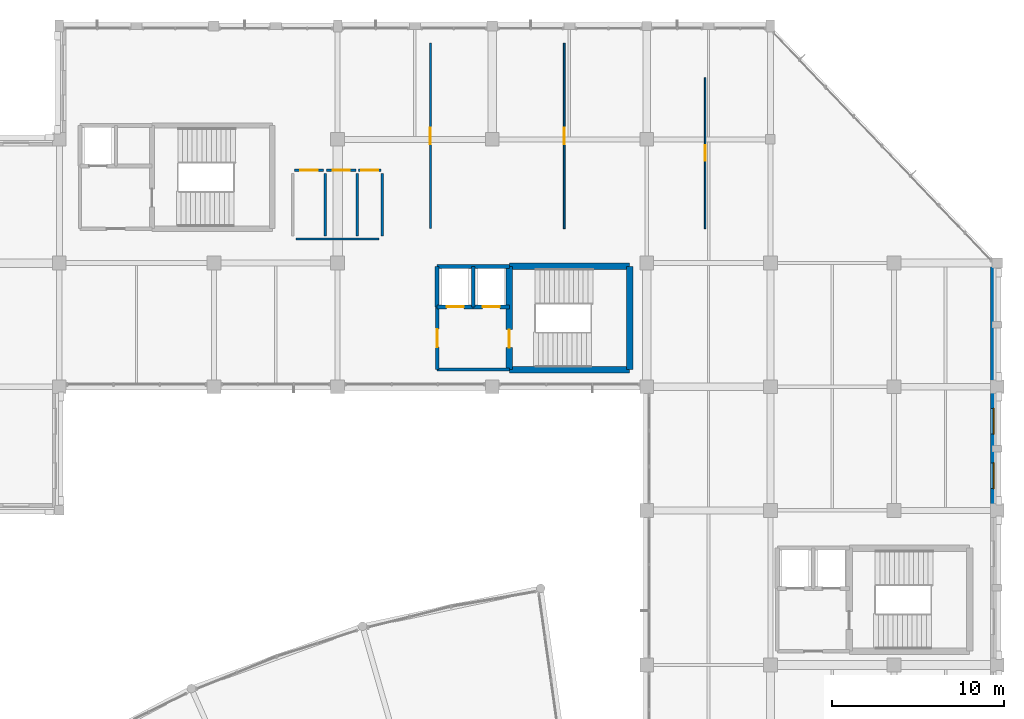
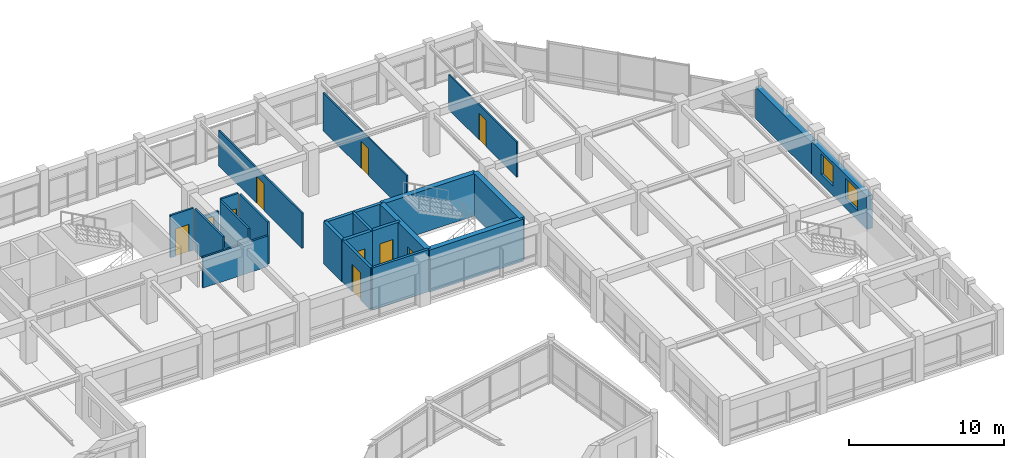
# One storey, part 58 of 74: 23 walls, 10 doors, 2 windows, 12 openings.
"""IFC4 building model written with IfcOpenShell, lengths in metres."""

from ifc_helpers import new_model, si_unit, direction, frame, frame_2d, origin, place, context, subcontext, project, spatial, rectangle, extrude, material, layer, layer_set, type_object, element, fill, save


model = new_model("IFC4")

# Units and contexts
model_context = context("Model", 3, precision=1e-05, world=origin(), true_north=direction((0.0, 1.0)))
body_context = subcontext(model_context, "Body", "Model", "MODEL_VIEW")
ifc_project = project(units=[si_unit("LENGTHUNIT", "METRE"), si_unit("AREAUNIT", "SQUARE_METRE"), si_unit("VOLUMEUNIT", "CUBIC_METRE"), si_unit("PLANEANGLEUNIT", "RADIAN"), si_unit("MASSUNIT", "GRAM", prefix="KILO")], contexts=[model_context])

# Site, building, storey
site_placement = place(None, origin())
site = spatial("IfcSite", under=ifc_project, at=site_placement, CompositionType="ELEMENT")
building_placement = place(site_placement, origin())
building = spatial("IfcBuilding", under=site, at=building_placement, Name="Clarverna Civic Hall", CompositionType="ELEMENT")
storey_placement = place(building_placement, frame((0.0, 0.0, 9.60009765625)))
storey = spatial("IfcBuildingStorey", under=building, at=storey_placement, Name="L02", CompositionType="ELEMENT", Elevation=9.60009765625)

# Wall
ifc_material_1 = material(Name="Montjuic Limestone Ashlar Cladding", Category="masonry")
ifc_layer_1 = layer(ifc_material_1, 0.39990234375)
ifc_layer_set_1 = layer_set([ifc_layer_1], Name="Montjuic Limestone Ashlar Cladding")
wall_type_1 = type_object("IfcWallType", Name="EW-02", PredefinedType="SOLIDWALL", material=ifc_layer_set_1)
wall_1_placement = place(storey_placement, frame((167.800048828125, 102.199951171875, 0.0), z_axis=(0.0, 0.0, 1.0), x_axis=(0.0, -1.0, 0.0)))
element("IfcWall", 1, at=wall_1_placement, inside=storey, type_object=wall_type_1, Name="EW-02-103", PredefinedType="SOLIDWALL", context=body_context, shape_type="SweptSolid", body=[
    extrude(rectangle(XDim=7.199951171875, YDim=0.39990234375, at=frame_2d((3.60009765625, 0.0))), origin(), (0.0, 0.0, 1.0), 2.52001953125),
])

# Wall, openings, windows
wall_2_placement = place(storey_placement, frame((167.800048828125, 95.0, 0.0), z_axis=(0.0, 0.0, 1.0), x_axis=(0.0, -1.0, 0.0)))
wall_2 = element("IfcWall", 2, at=wall_2_placement, inside=storey, type_object=wall_type_1, Name="EW-02-104", PredefinedType="SOLIDWALL", context=body_context, shape_type="SweptSolid", body=[
    extrude(rectangle(XDim=7.199951171875, YDim=0.39990234375, at=frame_2d((3.60009765625, 0.0))), origin(), (0.0, 0.0, 1.0), 2.619873046875),
])
opening_1_placement = place(wall_2_placement, frame((1.26611328125, 0.0, 0.75)))
opening_1 = element("IfcOpeningElement", 3, at=opening_1_placement, cuts=wall_2, Name="Opening WN-14", PredefinedType="OPENING", context=body_context, shape_type="SweptSolid", body=[
    extrude(rectangle(XDim=1.5, YDim=1.60009765625, at=frame_2d((0.75, 0.800048828125))), frame((0.0, 0.2099609375, 0.0), z_axis=(0.0, -1.0, 0.0), x_axis=(1.0, 0.0, 0.0)), (0.0, 0.0, 1.0), 0.419921875),
])
opening_2_placement = place(wall_2_placement, frame((4.43408203125, 0.0, 0.75)))
opening_2 = element("IfcOpeningElement", 4, at=opening_2_placement, cuts=wall_2, Name="Opening WN-14", PredefinedType="OPENING", context=body_context, shape_type="SweptSolid", body=[
    extrude(rectangle(XDim=1.5, YDim=1.60009765625, at=frame_2d((0.75, 0.800048828125))), frame((0.0, 0.2099609375, 0.0), z_axis=(0.0, -1.0, 0.0), x_axis=(1.0, 0.0, 0.0)), (0.0, 0.0, 1.0), 0.419921875),
])
ifc_material_2 = material(Name="Solar-Control Argon Low-E Double Glazing", Category="glass")
window_type = type_object("IfcWindowType", Name="WN-14", PartitioningType="DOUBLE_PANEL_HORIZONTAL", PredefinedType="WINDOW", material=ifc_material_2)
window_1_placement = place(opening_1_placement, origin())
window_1 = element("IfcWindow", 5, at=window_1_placement, inside=storey, type_object=window_type, Name="WN-14-054", OverallHeight=1.60009765625, OverallWidth=1.5, PartitioningType="DOUBLE_PANEL_HORIZONTAL", PredefinedType="WINDOW", context=body_context, shape_type="SweptSolid", body=[
    extrude(rectangle(XDim=1.5, YDim=1.60009765625, at=frame_2d((0.75, 0.800048828125))), frame((0.0, 0.030029296875, 0.0), z_axis=(0.0, -1.0, 0.0), x_axis=(1.0, 0.0, 0.0)), (0.0, 0.0, 1.0), 0.06005859375),
])
fill(opening_1, window_1)
window_2_placement = place(opening_2_placement, origin())
window_2 = element("IfcWindow", 6, at=window_2_placement, inside=storey, type_object=window_type, Name="WN-14-055", OverallHeight=1.60009765625, OverallWidth=1.5, PartitioningType="DOUBLE_PANEL_HORIZONTAL", PredefinedType="WINDOW", context=body_context, shape_type="SweptSolid", body=[
    extrude(rectangle(XDim=1.5, YDim=1.60009765625, at=frame_2d((0.75, 0.800048828125))), frame((0.0, 0.030029296875, 0.0), z_axis=(0.0, -1.0, 0.0), x_axis=(1.0, 0.0, 0.0)), (0.0, 0.0, 1.0), 0.06005859375),
])
fill(opening_2, window_2)

# Walls
ifc_material_3 = material(Name="Ceramic Brick and Plaster Wet-Room Partition", Category="masonry")
ifc_layer_2 = layer(ifc_material_3, 0.139892578125)
ifc_layer_set_2 = layer_set([ifc_layer_2], Name="Ceramic Brick and Plaster Wet-Room Partition")
wall_type_2 = type_object("IfcWallType", Name="PW-02", PredefinedType="PARTITIONING", material=ifc_layer_set_2)
wall_3_placement = place(storey_placement, frame((127.179931640625, 103.60009765625, 0.0), z_axis=(0.0, 0.0, 1.0), x_axis=(1.0, 0.0, 0.0)))
element("IfcWall", 7, at=wall_3_placement, inside=storey, type_object=wall_type_2, Name="PW-02-025", PredefinedType="PARTITIONING", context=body_context, shape_type="SweptSolid", body=[
    extrude(rectangle(XDim=4.840087890625, YDim=0.139892578125, at=frame_2d((2.419921875, 0.0))), origin(), (0.0, 0.0, 1.0), 2.419921875),
])
for number, where, z_axis, x_axis, name in (
    (8, (132.199951171875, 103.780029296875, 0.0), (0.0, 0.0, 1.0), (0.0, 1.0, 0.0), "PW-02-027"),
    (9, (128.8720703125, 103.780029296875, 0.0), (0.0, 0.0, 1.0), (0.0, 1.0, 0.0), "PW-02-028"),
    (10, (130.743896484375, 103.780029296875, 0.0), (0.0, 0.0, 1.0), (0.0, 1.0, 0.0), "PW-02-029"),
):
    element("IfcWall", number, at=place(storey_placement, frame(where, z_axis=z_axis, x_axis=x_axis)), inside=storey, type_object=wall_type_2, Name=name, PredefinedType="PARTITIONING", context=body_context, shape_type="SweptSolid", body=[
        extrude(rectangle(XDim=3.639892578125, YDim=0.139892578125, at=frame_2d((1.81982421875, 0.0))), origin(), (0.0, 0.0, 1.0), 3.31982421875),
    ])

# Wall, opening, door
wall_4_placement = place(storey_placement, frame((127.080078125, 107.60009765625, 0.0), z_axis=(0.0, 0.0, 1.0), x_axis=(1.0, 0.0, 0.0)))
wall_4 = element("IfcWall", 11, at=wall_4_placement, inside=storey, type_object=wall_type_2, Name="PW-02-030", PredefinedType="PARTITIONING", context=body_context, shape_type="SweptSolid", body=[
    extrude(rectangle(XDim=1.7119140625, YDim=0.139892578125, at=frame_2d((0.85595703125, 0.0))), origin(), (0.0, 0.0, 1.0), 3.31982421875),
])
opening_3_placement = place(wall_4_placement, frame((0.35595703125, 0.0, 0.0)))
opening_3 = element("IfcOpeningElement", 12, at=opening_3_placement, cuts=wall_4, Name="Opening ID-02", PredefinedType="OPENING", context=body_context, shape_type="SweptSolid", body=[
    extrude(rectangle(XDim=1.0, YDim=2.14990234375, at=frame_2d((0.5, 1.074951171875))), frame((0.0, 0.079833984375, 0.0), z_axis=(0.0, -1.0, 0.0), x_axis=(1.0, 0.0, 0.0)), (0.0, 0.0, 1.0), 0.159912109375),
])
ifc_material_4 = material(Name="European Oak Veneered Acoustic Timber Door", Category="wood")
door_type_1 = type_object("IfcDoorType", Name="ID-02", OperationType="NOTDEFINED", PredefinedType="DOOR", material=ifc_material_4)
door_1_placement = place(opening_3_placement, origin())
door_1 = element("IfcDoor", 13, at=door_1_placement, inside=storey, type_object=door_type_1, Name="ID-02-010", OperationType="SINGLE_SWING_RIGHT", OverallHeight=2.14990234375, OverallWidth=1.0, PredefinedType="DOOR", context=body_context, shape_type="SweptSolid", body=[
    extrude(rectangle(XDim=1.0, YDim=2.14990234375, at=frame_2d((0.5, 1.074951171875))), frame((0.0, 0.02490234375, 0.0), z_axis=(0.0, -1.0, 0.0), x_axis=(1.0, 0.0, 0.0)), (0.0, 0.0, 1.0), 0.050048828125),
])
fill(opening_3, door_1)

wall_5_placement = place(storey_placement, frame((128.951904296875, 107.60009765625, 0.0), z_axis=(0.0, 0.0, 1.0), x_axis=(1.0, 0.0, 0.0)))
wall_5 = element("IfcWall", 14, at=wall_5_placement, inside=storey, type_object=wall_type_2, Name="PW-02-031", PredefinedType="PARTITIONING", context=body_context, shape_type="SweptSolid", body=[
    extrude(rectangle(XDim=1.712158203125, YDim=0.139892578125, at=frame_2d((0.85595703125, 0.0))), origin(), (0.0, 0.0, 1.0), 2.419921875),
])
opening_4_placement = place(wall_5_placement, frame((0.35595703125, 0.0, 0.0)))
opening_4 = element("IfcOpeningElement", 15, at=opening_4_placement, cuts=wall_5, Name="Opening ID-02", PredefinedType="OPENING", context=body_context, shape_type="SweptSolid", body=[
    extrude(rectangle(XDim=1.0, YDim=2.14990234375, at=frame_2d((0.5, 1.074951171875))), frame((0.0, 0.079833984375, 0.0), z_axis=(0.0, -1.0, 0.0), x_axis=(1.0, 0.0, 0.0)), (0.0, 0.0, 1.0), 0.159912109375),
])
door_2_placement = place(opening_4_placement, origin())
door_2 = element("IfcDoor", 16, at=door_2_placement, inside=storey, type_object=door_type_1, Name="ID-02-011", OperationType="SINGLE_SWING_LEFT", OverallHeight=2.14990234375, OverallWidth=1.0, PredefinedType="DOOR", context=body_context, shape_type="SweptSolid", body=[
    extrude(rectangle(XDim=1.0, YDim=2.14990234375, at=frame_2d((0.5, 1.074951171875))), frame((0.0, 0.02490234375, 0.0), z_axis=(0.0, -1.0, 0.0), x_axis=(1.0, 0.0, 0.0)), (0.0, 0.0, 1.0), 0.050048828125),
])
fill(opening_4, door_2)

wall_6_placement = place(storey_placement, frame((130.823974609375, 107.60009765625, 0.0), z_axis=(0.0, 0.0, 1.0), x_axis=(1.0, 0.0, 0.0)))
wall_6 = element("IfcWall", 17, at=wall_6_placement, inside=storey, type_object=wall_type_2, Name="PW-02-032", PredefinedType="PARTITIONING", context=body_context, shape_type="SweptSolid", body=[
    extrude(rectangle(XDim=1.296142578125, YDim=0.139892578125, at=frame_2d((0.64794921875, 0.0))), origin(), (0.0, 0.0, 1.0), 3.31982421875),
])
opening_5_placement = place(wall_6_placement, frame((0.14794921875, 0.0, 0.0)))
opening_5 = element("IfcOpeningElement", 18, at=opening_5_placement, cuts=wall_6, Name="Opening ID-02", PredefinedType="OPENING", context=body_context, shape_type="SweptSolid", body=[
    extrude(rectangle(XDim=1.0, YDim=2.14990234375, at=frame_2d((0.5, 1.074951171875))), frame((0.0, 0.079833984375, 0.0), z_axis=(0.0, -1.0, 0.0), x_axis=(1.0, 0.0, 0.0)), (0.0, 0.0, 1.0), 0.159912109375),
])
door_3_placement = place(opening_5_placement, origin())
door_3 = element("IfcDoor", 19, at=door_3_placement, inside=storey, type_object=door_type_1, Name="ID-02-012", OperationType="SINGLE_SWING_RIGHT", OverallHeight=2.14990234375, OverallWidth=1.0, PredefinedType="DOOR", context=body_context, shape_type="SweptSolid", body=[
    extrude(rectangle(XDim=1.0, YDim=2.14990234375, at=frame_2d((0.5, 1.074951171875))), frame((0.0, 0.02490234375, 0.0), z_axis=(0.0, -1.0, 0.0), x_axis=(1.0, 0.0, 0.0)), (0.0, 0.0, 1.0), 0.050048828125),
])
fill(opening_5, door_3)

ifc_material_5 = material(Name="Gypsum Plasterboard Partition", Category="gypsum")
ifc_layer_3 = layer(ifc_material_5, 0.1201171875)
ifc_layer_set_3 = layer_set([ifc_layer_3], Name="Gypsum Plasterboard Partition")
wall_type_3 = type_object("IfcWallType", Name="PW-03", PredefinedType="PARTITIONING", material=ifc_layer_set_3)
wall_7_placement = place(storey_placement, frame((135.0, 104.199951171875, 0.0), z_axis=(0.0, 0.0, 1.0), x_axis=(0.0, 1.0, 0.0)))
wall_7 = element("IfcWall", 20, at=wall_7_placement, inside=storey, type_object=wall_type_3, Name="PW-03-004", PredefinedType="PARTITIONING", context=body_context, shape_type="SweptSolid", body=[
    extrude(rectangle(XDim=10.800048828125, YDim=0.1201171875, at=frame_2d((5.39990234375, 0.0))), origin(), (0.0, 0.0, 1.0), 2.77001953125),
])
opening_6_placement = place(wall_7_placement, frame((4.925048828125, 0.0, 0.0)))
opening_6 = element("IfcOpeningElement", 21, at=opening_6_placement, cuts=wall_7, Name="Opening ID-01", PredefinedType="OPENING", context=body_context, shape_type="SweptSolid", body=[
    extrude(rectangle(XDim=0.949951171875, YDim=2.14990234375, at=frame_2d((0.47509765625, 1.074951171875))), frame((0.0, 0.070068359375, 0.0), z_axis=(0.0, -1.0, 0.0), x_axis=(1.0, 0.0, 0.0)), (0.0, 0.0, 1.0), 0.14013671875),
])
door_type_2 = type_object("IfcDoorType", Name="ID-01", OperationType="NOTDEFINED", PredefinedType="DOOR", material=ifc_material_4)
door_4_placement = place(opening_6_placement, origin())
door_4 = element("IfcDoor", 22, at=door_4_placement, inside=storey, type_object=door_type_2, Name="ID-01-004", OperationType="SINGLE_SWING_LEFT", OverallHeight=2.14990234375, OverallWidth=0.949951171875, PredefinedType="DOOR", context=body_context, shape_type="SweptSolid", body=[
    extrude(rectangle(XDim=0.949951171875, YDim=2.14990234375, at=frame_2d((0.47509765625, 1.074951171875))), frame((0.0, 0.02490234375, 0.0), z_axis=(0.0, -1.0, 0.0), x_axis=(1.0, 0.0, 0.0)), (0.0, 0.0, 1.0), 0.050048828125),
])
fill(opening_6, door_4)

ifc_layer_4 = layer(ifc_material_5, 0.10009765625)
ifc_layer_set_4 = layer_set([ifc_layer_4], Name="Gypsum Plasterboard Partition")
wall_type_4 = type_object("IfcWallType", Name="PW-04", PredefinedType="PARTITIONING", material=ifc_layer_set_4)
wall_8_placement = place(storey_placement, frame((142.800048828125, 104.199951171875, 0.0), z_axis=(0.0, 0.0, 1.0), x_axis=(0.0, 1.0, 0.0)))
wall_8 = element("IfcWall", 23, at=wall_8_placement, inside=storey, type_object=wall_type_4, Name="PW-04-003", PredefinedType="PARTITIONING", context=body_context, shape_type="SweptSolid", body=[
    extrude(rectangle(XDim=10.800048828125, YDim=0.10009765625, at=frame_2d((5.39990234375, 0.0))), origin(), (0.0, 0.0, 1.0), 2.989990234375),
])
opening_7_placement = place(wall_8_placement, frame((4.925048828125, 0.0, 0.0)))
opening_7 = element("IfcOpeningElement", 24, at=opening_7_placement, cuts=wall_8, Name="Opening ID-01", PredefinedType="OPENING", context=body_context, shape_type="SweptSolid", body=[
    extrude(rectangle(XDim=0.949951171875, YDim=2.14990234375, at=frame_2d((0.47509765625, 1.074951171875))), frame((0.0, 0.06005859375, 0.0), z_axis=(0.0, -1.0, 0.0), x_axis=(1.0, 0.0, 0.0)), (0.0, 0.0, 1.0), 0.1201171875),
])
door_5_placement = place(opening_7_placement, origin())
door_5 = element("IfcDoor", 25, at=door_5_placement, inside=storey, type_object=door_type_2, Name="ID-01-005", OperationType="SINGLE_SWING_RIGHT", OverallHeight=2.14990234375, OverallWidth=0.949951171875, PredefinedType="DOOR", context=body_context, shape_type="SweptSolid", body=[
    extrude(rectangle(XDim=0.949951171875, YDim=2.14990234375, at=frame_2d((0.47509765625, 1.074951171875))), frame((0.0, 0.02490234375, 0.0), z_axis=(0.0, -1.0, 0.0), x_axis=(1.0, 0.0, 0.0)), (0.0, 0.0, 1.0), 0.050048828125),
])
fill(opening_7, door_5)

wall_9_placement = place(storey_placement, frame((151.0, 104.199951171875, 0.0), z_axis=(0.0, 0.0, 1.0), x_axis=(0.0, 1.0, 0.0)))
wall_9 = element("IfcWall", 26, at=wall_9_placement, inside=storey, type_object=wall_type_4, Name="PW-04-004", PredefinedType="PARTITIONING", context=body_context, shape_type="SweptSolid", body=[
    extrude(rectangle(XDim=8.800048828125, YDim=0.10009765625, at=frame_2d((4.39990234375, 0.0))), origin(), (0.0, 0.0, 1.0), 2.77001953125),
])
opening_8_placement = place(wall_9_placement, frame((3.949951171875, 0.0, 0.0)))
opening_8 = element("IfcOpeningElement", 27, at=opening_8_placement, cuts=wall_9, Name="Opening ID-06", PredefinedType="OPENING", context=body_context, shape_type="SweptSolid", body=[
    extrude(rectangle(XDim=0.89990234375, YDim=2.10009765625, at=frame_2d((0.449951171875, 1.050048828125))), frame((0.0, 0.06005859375, 0.0), z_axis=(0.0, -1.0, 0.0), x_axis=(1.0, 0.0, 0.0)), (0.0, 0.0, 1.0), 0.1201171875),
])
ifc_material_6 = material(Name="Painted Hardwood Service Door", Category="wood")
door_type_3 = type_object("IfcDoorType", Name="ID-06", OperationType="NOTDEFINED", PredefinedType="DOOR", material=ifc_material_6)
door_6_placement = place(opening_8_placement, origin())
door_6 = element("IfcDoor", 28, at=door_6_placement, inside=storey, type_object=door_type_3, Name="ID-06-001", OperationType="SINGLE_SWING_LEFT", OverallHeight=2.10009765625, OverallWidth=0.89990234375, PredefinedType="DOOR", context=body_context, shape_type="SweptSolid", body=[
    extrude(rectangle(XDim=0.89990234375, YDim=2.10009765625, at=frame_2d((0.449951171875, 1.050048828125))), frame((0.0, 0.02490234375, 0.0), z_axis=(0.0, -1.0, 0.0), x_axis=(1.0, 0.0, 0.0)), (0.0, 0.0, 1.0), 0.050048828125),
])
fill(opening_8, door_6)

ifc_material_7 = material(Name="Acoustic Gypsum Plasterboard on Twin Frame", Category="gypsum")
ifc_layer_5 = layer(ifc_material_7, 0.18994140625)
ifc_layer_set_5 = layer_set([ifc_layer_5], Name="Acoustic Gypsum Plasterboard on Twin Frame")
wall_type_5 = type_object("IfcWallType", Name="PW-06", PredefinedType="PARTITIONING", material=ifc_layer_set_5)
wall_10_placement = place(storey_placement, frame((135.39990234375, 96.0, 0.0), z_axis=(0.0, 0.0, 1.0), x_axis=(0.0, 1.0, 0.0)))
wall_10 = element("IfcWall", 29, at=wall_10_placement, inside=storey, type_object=wall_type_5, Name="PW-06-007", PredefinedType="PARTITIONING", context=body_context, shape_type="SweptSolid", body=[
    extrude(rectangle(XDim=3.64990234375, YDim=0.18994140625, at=frame_2d((1.824951171875, 0.0))), origin(), (0.0, 0.0, 1.0), 3.31982421875),
])
opening_9_placement = place(wall_10_placement, frame((1.300048828125, 0.0, 0.0)))
opening_9 = element("IfcOpeningElement", 30, at=opening_9_placement, cuts=wall_10, Name="Opening FD-02", PredefinedType="OPENING", context=body_context, shape_type="SweptSolid", body=[
    extrude(rectangle(XDim=1.050048828125, YDim=2.14990234375, at=frame_2d((0.52490234375, 1.074951171875))), frame((0.0, 0.10498046875, 0.0), z_axis=(0.0, -1.0, 0.0), x_axis=(1.0, 0.0, 0.0)), (0.0, 0.0, 1.0), 0.2099609375),
])
ifc_material_8 = material(Name="Acoustic Timber-Faced Fire Door", Category="wood")
door_type_4 = type_object("IfcDoorType", Name="FD-02", OperationType="NOTDEFINED", PredefinedType="DOOR", material=ifc_material_8)
door_7_placement = place(opening_9_placement, origin())
door_7 = element("IfcDoor", 31, at=door_7_placement, inside=storey, type_object=door_type_4, Name="FD-02-007", OperationType="SINGLE_SWING_RIGHT", OverallHeight=2.14990234375, OverallWidth=1.050048828125, PredefinedType="DOOR", context=body_context, shape_type="SweptSolid", body=[
    extrude(rectangle(XDim=1.050048828125, YDim=2.14990234375, at=frame_2d((0.52490234375, 1.074951171875))), frame((0.0, 0.02490234375, 0.0), z_axis=(0.0, -1.0, 0.0), x_axis=(1.0, 0.0, 0.0)), (0.0, 0.0, 1.0), 0.050048828125),
])
fill(opening_9, door_7)

# Wall
wall_11_placement = place(storey_placement, frame((135.39990234375, 96.0, 0.0), z_axis=(0.0, 0.0, 1.0), x_axis=(1.0, 0.0, 0.0)))
element("IfcWall", 32, at=wall_11_placement, inside=storey, type_object=wall_type_5, Name="PW-06-008", PredefinedType="PARTITIONING", context=body_context, shape_type="SweptSolid", body=[
    extrude(rectangle(XDim=4.2001953125, YDim=0.18994140625, at=frame_2d((2.10009765625, 0.0))), origin(), (0.0, 0.0, 1.0), 3.31982421875),
])

# Wall, opening, door
ifc_material_9 = material(Name="Concrete C35/45", Category="concrete")
ifc_layer_6 = layer(ifc_material_9, 0.3798828125)
ifc_layer_set_6 = layer_set([ifc_layer_6], Name="Concrete C35/45")
wall_type_6 = type_object("IfcWallType", Name="SW-01", PredefinedType="SHEAR", material=ifc_layer_set_6)
wall_12_placement = place(storey_placement, frame((139.60009765625, 96.0, 0.0), z_axis=(0.0, 0.0, 1.0), x_axis=(0.0, 1.0, 0.0)))
wall_12 = element("IfcWall", 33, at=wall_12_placement, inside=storey, type_object=wall_type_6, Name="SW-01-028", PredefinedType="SHEAR", context=body_context, shape_type="SweptSolid", body=[
    extrude(rectangle(XDim=6.0, YDim=0.3798828125, at=frame_2d((3.0, 0.0))), origin(), (0.0, 0.0, 1.0), 3.31982421875),
])
opening_10_placement = place(wall_12_placement, frame((1.27490234375, 0.0, 0.0)))
opening_10 = element("IfcOpeningElement", 34, at=opening_10_placement, cuts=wall_12, Name="Opening FD-02", PredefinedType="OPENING", context=body_context, shape_type="SweptSolid", body=[
    extrude(rectangle(XDim=1.050048828125, YDim=2.14990234375, at=frame_2d((0.52490234375, 1.074951171875))), frame((0.0, 0.199951171875, 0.0), z_axis=(0.0, -1.0, 0.0), x_axis=(1.0, 0.0, 0.0)), (0.0, 0.0, 1.0), 0.39990234375),
])
door_8_placement = place(opening_10_placement, origin())
door_8 = element("IfcDoor", 35, at=door_8_placement, inside=storey, type_object=door_type_4, Name="FD-02-006", OperationType="SINGLE_SWING_LEFT", OverallHeight=2.14990234375, OverallWidth=1.050048828125, PredefinedType="DOOR", context=body_context, shape_type="SweptSolid", body=[
    extrude(rectangle(XDim=1.050048828125, YDim=2.14990234375, at=frame_2d((0.52490234375, 1.074951171875))), frame((0.0, 0.02490234375, 0.0), z_axis=(0.0, -1.0, 0.0), x_axis=(1.0, 0.0, 0.0)), (0.0, 0.0, 1.0), 0.050048828125),
])
fill(opening_10, door_8)

# Walls
wall_13_placement = place(storey_placement, frame((146.60009765625, 96.0, 0.0), z_axis=(0.0, 0.0, 1.0), x_axis=(0.0, 1.0, 0.0)))
element("IfcWall", 36, at=wall_13_placement, inside=storey, type_object=wall_type_6, Name="SW-01-029", PredefinedType="SHEAR", context=body_context, shape_type="SweptSolid", body=[
    extrude(rectangle(XDim=6.0, YDim=0.3798828125, at=frame_2d((3.0, 0.0))), origin(), (0.0, 0.0, 1.0), 3.31982421875),
])
for number, where, z_axis, x_axis, name in (
    (37, (139.60009765625, 96.0, 0.0), (0.0, 0.0, 1.0), (1.0, 0.0, 0.0), "SW-01-030"),
    (38, (139.60009765625, 102.0, 0.0), (0.0, 0.0, 1.0), (1.0, 0.0, 0.0), "SW-01-031"),
):
    element("IfcWall", number, at=place(storey_placement, frame(where, z_axis=z_axis, x_axis=x_axis)), inside=storey, type_object=wall_type_6, Name=name, PredefinedType="SHEAR", context=body_context, shape_type="SweptSolid", body=[
        extrude(rectangle(XDim=7.0, YDim=0.3798828125, at=frame_2d((3.5, 0.0))), origin(), (0.0, 0.0, 1.0), 3.31982421875),
    ])
wall_14_placement = place(storey_placement, frame((135.39990234375, 102.0, 0.0), z_axis=(0.0, 0.0, 1.0), x_axis=(1.0, 0.0, 0.0)))
element("IfcWall", 39, at=wall_14_placement, inside=storey, type_object=wall_type_6, Name="SW-01-032", PredefinedType="SHEAR", context=body_context, shape_type="SweptSolid", body=[
    extrude(rectangle(XDim=4.2001953125, YDim=0.239990234375, at=frame_2d((2.10009765625, 0.0))), origin(), (0.0, 0.0, 1.0), 3.31982421875),
])
wall_15_placement = place(storey_placement, frame((135.39990234375, 99.64990234375, 0.0), z_axis=(0.0, 0.0, 1.0), x_axis=(0.0, 1.0, 0.0)))
element("IfcWall", 40, at=wall_15_placement, inside=storey, type_object=wall_type_6, Name="SW-01-033", PredefinedType="SHEAR", context=body_context, shape_type="SweptSolid", body=[
    extrude(rectangle(XDim=2.35009765625, YDim=0.239990234375, at=frame_2d((1.175048828125, 0.0))), origin(), (0.0, 0.0, 1.0), 3.31982421875),
])
wall_16_placement = place(storey_placement, frame((137.5, 99.64990234375, 0.0), z_axis=(0.0, 0.0, 1.0), x_axis=(0.0, 1.0, 0.0)))
element("IfcWall", 41, at=wall_16_placement, inside=storey, type_object=wall_type_6, Name="SW-01-034", PredefinedType="SHEAR", context=body_context, shape_type="SweptSolid", body=[
    extrude(rectangle(XDim=2.35009765625, YDim=0.199951171875, at=frame_2d((1.175048828125, 0.0))), origin(), (0.0, 0.0, 1.0), 3.31982421875),
])

# Wall, opening, door
wall_17_placement = place(storey_placement, frame((135.39990234375, 99.64990234375, 0.0), z_axis=(0.0, 0.0, 1.0), x_axis=(1.0, 0.0, 0.0)))
wall_17 = element("IfcWall", 42, at=wall_17_placement, inside=storey, type_object=wall_type_6, Name="SW-01-035", PredefinedType="SHEAR", context=body_context, shape_type="SweptSolid", body=[
    extrude(rectangle(XDim=2.10009765625, YDim=0.239990234375, at=frame_2d((1.050048828125, 0.0))), origin(), (0.0, 0.0, 1.0), 3.31982421875),
])
opening_11_placement = place(wall_17_placement, frame((0.550048828125, 0.0, 0.0)))
opening_11 = element("IfcOpeningElement", 43, at=opening_11_placement, cuts=wall_17, Name="Opening LD-01", PredefinedType="OPENING", context=body_context, shape_type="SweptSolid", body=[
    extrude(rectangle(XDim=1.0, YDim=2.10009765625, at=frame_2d((0.5, 1.050048828125))), frame((0.0, 0.1298828125, 0.0), z_axis=(0.0, -1.0, 0.0), x_axis=(1.0, 0.0, 0.0)), (0.0, 0.0, 1.0), 0.260009765625),
])
ifc_material_10 = material(Name="Brushed Bronze Stainless Lift Landing Door")
door_type_5 = type_object("IfcDoorType", Name="LD-01", OperationType="SLIDING_TO_LEFT", PredefinedType="DOOR", material=ifc_material_10)
door_9_placement = place(opening_11_placement, origin())
door_9 = element("IfcDoor", 44, at=door_9_placement, inside=storey, type_object=door_type_5, Name="LD-01-007", OperationType="SLIDING_TO_LEFT", OverallHeight=2.10009765625, OverallWidth=1.0, PredefinedType="DOOR", context=body_context, shape_type="SweptSolid", body=[
    extrude(rectangle(XDim=1.0, YDim=2.10009765625, at=frame_2d((0.5, 1.050048828125))), frame((0.0, 0.02490234375, 0.0), z_axis=(0.0, -1.0, 0.0), x_axis=(1.0, 0.0, 0.0)), (0.0, 0.0, 1.0), 0.050048828125),
])
fill(opening_11, door_9)

wall_18_placement = place(storey_placement, frame((137.5, 99.64990234375, 0.0), z_axis=(0.0, 0.0, 1.0), x_axis=(1.0, 0.0, 0.0)))
wall_18 = element("IfcWall", 45, at=wall_18_placement, inside=storey, type_object=wall_type_6, Name="SW-01-036", PredefinedType="SHEAR", context=body_context, shape_type="SweptSolid", body=[
    extrude(rectangle(XDim=2.10009765625, YDim=0.239990234375, at=frame_2d((1.050048828125, 0.0))), origin(), (0.0, 0.0, 1.0), 3.31982421875),
])
opening_12_placement = place(wall_18_placement, frame((0.550048828125, 0.0, 0.0)))
opening_12 = element("IfcOpeningElement", 46, at=opening_12_placement, cuts=wall_18, Name="Opening LD-01", PredefinedType="OPENING", context=body_context, shape_type="SweptSolid", body=[
    extrude(rectangle(XDim=1.0, YDim=2.10009765625, at=frame_2d((0.5, 1.050048828125))), frame((0.0, 0.1298828125, 0.0), z_axis=(0.0, -1.0, 0.0), x_axis=(1.0, 0.0, 0.0)), (0.0, 0.0, 1.0), 0.260009765625),
])
door_10_placement = place(opening_12_placement, origin())
door_10 = element("IfcDoor", 47, at=door_10_placement, inside=storey, type_object=door_type_5, Name="LD-01-008", OperationType="SLIDING_TO_LEFT", OverallHeight=2.10009765625, OverallWidth=1.0, PredefinedType="DOOR", context=body_context, shape_type="SweptSolid", body=[
    extrude(rectangle(XDim=1.0, YDim=2.10009765625, at=frame_2d((0.5, 1.050048828125))), frame((0.0, 0.02490234375, 0.0), z_axis=(0.0, -1.0, 0.0), x_axis=(1.0, 0.0, 0.0)), (0.0, 0.0, 1.0), 0.050048828125),
])
fill(opening_12, door_10)

save(model, "model.ifc")
